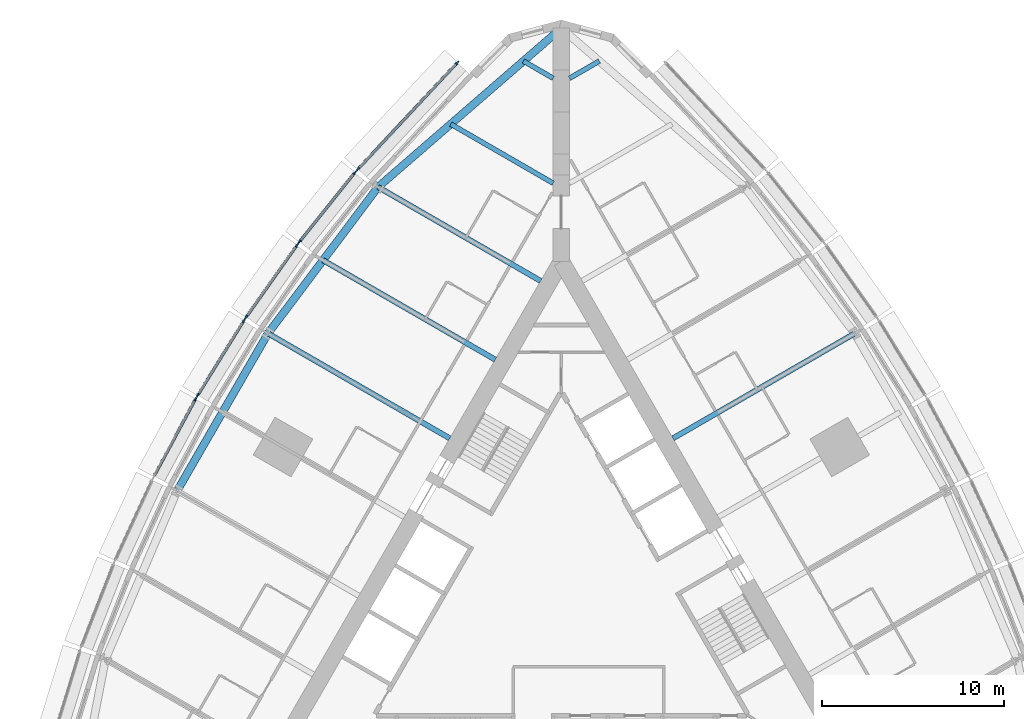
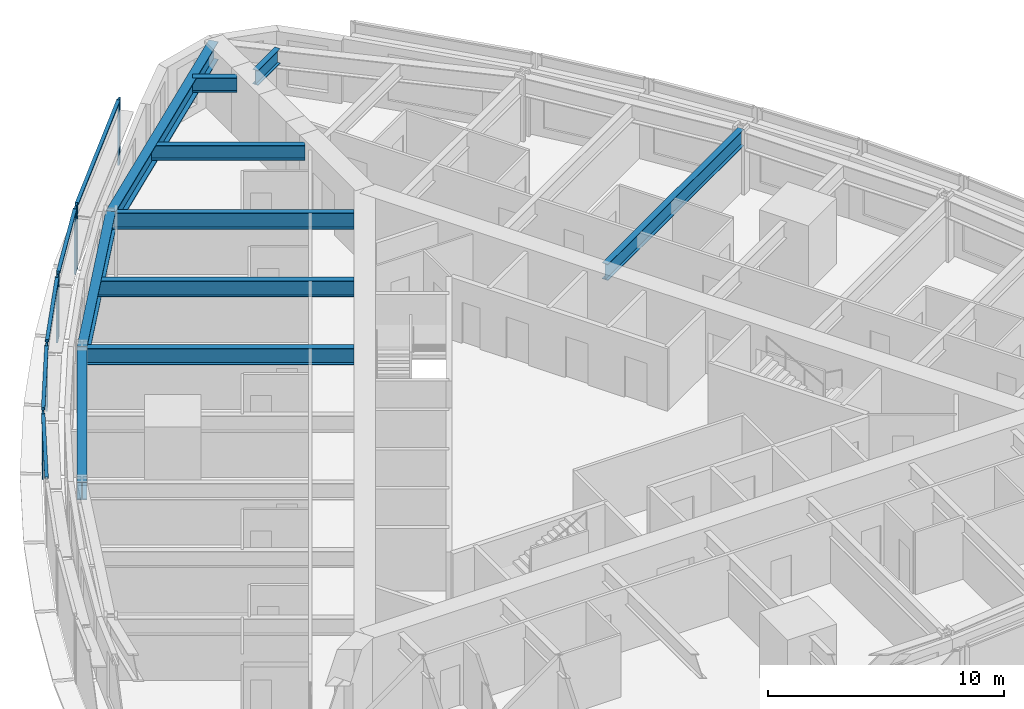
# One storey, part 4 of 14: 14 members, 10 beams, 5 elements without a shape of their own.
"""IFC4 building model written with IfcOpenShell, lengths in metres."""

from ifc_helpers import new_model, si_unit, direction, frame, origin, origin_2d, place, context, subcontext, project, spatial, rectangle, i_section, extrude, material, material_profile, profile_set, type_object, element, aggregate, save


model = new_model("IFC4")

# Units and contexts
model_context = context("Model", 3, precision=1e-05, world=origin(), true_north=direction((0.0, 1.0)))
body_context = subcontext(model_context, "Body", "Model", "MODEL_VIEW")
ifc_project = project(units=[si_unit("LENGTHUNIT", "METRE"), si_unit("AREAUNIT", "SQUARE_METRE"), si_unit("VOLUMEUNIT", "CUBIC_METRE"), si_unit("PLANEANGLEUNIT", "RADIAN"), si_unit("MASSUNIT", "GRAM", prefix="KILO")], contexts=[model_context])

# Site, building, storey
site_placement = place(None, origin())
site = spatial("IfcSite", under=ifc_project, at=site_placement, CompositionType="ELEMENT")
building_placement = place(site_placement, origin())
building = spatial("IfcBuilding", under=site, at=building_placement, Name="Trikona Tower", CompositionType="ELEMENT")
storey_placement = place(building_placement, frame((0.0, 0.0, 42.10009765625)))
storey = spatial("IfcBuildingStorey", under=building, at=storey_placement, Name="L09", CompositionType="ELEMENT", Elevation=42.10009765625)

# Curtain wall, members
ifc_material_1 = material(Name="Aluminium curtain wall system", Category="aluminium")
curtain_wall_type = type_object("IfcCurtainWallType", Name="Curtain wall DS1", PredefinedType="NOTDEFINED", material=ifc_material_1)
curtain_wall_1_placement = place(storey_placement, origin())
curtain_wall_1 = element("IfcCurtainWall", 1, at=curtain_wall_1_placement, inside=storey, type_object=curtain_wall_type, Name="Curtain wall DS1 L09", PredefinedType="NOTDEFINED")
ifc_material_2 = material(Name="Aluminium mullion, pale anodised", Category="aluminium")
ifc_material_profile_1 = material_profile(ifc_material_2, rectangle(XDim=0.080078125, YDim=0.219970703125, at=origin_2d()), Name="MUL-DS1")
ifc_profile_set_1 = profile_set([ifc_material_profile_1], Name="Aluminium mullion, pale anodised")
member_type_1 = type_object("IfcMemberType", Name="Mullion DS1 80x220", PredefinedType="MULLION", material=ifc_profile_set_1)
member_1_placement = place(storey_placement, frame((-5.72607421875, 29.98583984375, 0.0), z_axis=(0.0, 0.0, 1.0), x_axis=(0.731076639405, -0.682295351967, 0.0)))
member_1 = element("IfcMember", 2, at=member_1_placement, type_object=member_type_1, Name="CW-DS1 mullion 1", PredefinedType="MULLION", context=body_context, shape_type="SweptSolid", body=[
    extrude(rectangle(XDim=0.080078125, YDim=0.219970703125, at=origin_2d()), origin(), (0.0, 0.0, 1.0), 3.39990234375),
])
member_2_placement = place(storey_placement, frame((-11.192138671875, 24.129150390625, 0.0), z_axis=(0.0, 0.0, 1.0), x_axis=(0.731076639405, -0.682295351967, 0.0)))
member_2 = element("IfcMember", 3, at=member_2_placement, type_object=member_type_1, Name="CW-DS1 mullion 2", PredefinedType="MULLION", context=body_context, shape_type="SweptSolid", body=[
    extrude(rectangle(XDim=0.080078125, YDim=0.219970703125, at=origin_2d()), origin(), (0.0, 0.0, 1.0), 3.39990234375),
])

curtain_wall_2_placement = place(storey_placement, origin())
curtain_wall_2 = element("IfcCurtainWall", 4, at=curtain_wall_2_placement, inside=storey, type_object=curtain_wall_type, Name="Curtain wall DS1 L09", PredefinedType="NOTDEFINED")
member_3_placement = place(storey_placement, frame((-11.36767578125, 23.926025390625, 0.0), z_axis=(0.0, 0.0, 1.0), x_axis=(0.780937959679, -0.624608599951, 0.0)))
member_3 = element("IfcMember", 5, at=member_3_placement, type_object=member_type_1, Name="CW-DS1 mullion 1", PredefinedType="MULLION", context=body_context, shape_type="SweptSolid", body=[
    extrude(rectangle(XDim=0.080078125, YDim=0.219970703125, at=origin_2d()), origin(), (0.0, 0.0, 1.0), 3.39990234375),
])
member_4_placement = place(storey_placement, frame((-14.40185546875, 20.13232421875, 0.0), z_axis=(0.0, 0.0, 1.0), x_axis=(0.780937959679, -0.624608599951, 0.0)))
member_4 = element("IfcMember", 6, at=member_4_placement, type_object=member_type_1, Name="CW-DS1 mullion 2", PredefinedType="MULLION", context=body_context, shape_type="SweptSolid", body=[
    extrude(rectangle(XDim=0.080078125, YDim=0.219970703125, at=origin_2d()), origin(), (0.0, 0.0, 1.0), 3.39990234375),
])

curtain_wall_3_placement = place(storey_placement, origin())
curtain_wall_3 = element("IfcCurtainWall", 7, at=curtain_wall_3_placement, inside=storey, type_object=curtain_wall_type, Name="Curtain wall DS1 L09", PredefinedType="NOTDEFINED")
member_5_placement = place(storey_placement, frame((-14.554443359375, 19.929443359375, 0.0), z_axis=(0.0, 0.0, 1.0), x_axis=(0.816985393055, -0.576658362928, 0.0)))
member_5 = element("IfcMember", 8, at=member_5_placement, type_object=member_type_1, Name="CW-DS1 mullion 1", PredefinedType="MULLION", context=body_context, shape_type="SweptSolid", body=[
    extrude(rectangle(XDim=0.080078125, YDim=0.219970703125, at=origin_2d()), origin(), (0.0, 0.0, 1.0), 3.39990234375),
])
member_6_placement = place(storey_placement, frame((-17.33447265625, 15.990966796875, 0.0), z_axis=(0.0, 0.0, 1.0), x_axis=(0.816985393055, -0.576658362928, 0.0)))
member_6 = element("IfcMember", 9, at=member_6_placement, type_object=member_type_1, Name="CW-DS1 mullion 2", PredefinedType="MULLION", context=body_context, shape_type="SweptSolid", body=[
    extrude(rectangle(XDim=0.080078125, YDim=0.219970703125, at=origin_2d()), origin(), (0.0, 0.0, 1.0), 3.39990234375),
])

curtain_wall_4_placement = place(storey_placement, origin())
curtain_wall_4 = element("IfcCurtainWall", 10, at=curtain_wall_4_placement, inside=storey, type_object=curtain_wall_type, Name="Curtain wall DS1 L09", PredefinedType="NOTDEFINED")
member_7_placement = place(storey_placement, frame((-17.474853515625, 15.77880859375, 0.0), z_axis=(0.0, 0.0, 1.0), x_axis=(0.850410468941, -0.526119790842, 0.0)))
member_7 = element("IfcMember", 11, at=member_7_placement, type_object=member_type_1, Name="CW-DS1 mullion 1", PredefinedType="MULLION", context=body_context, shape_type="SweptSolid", body=[
    extrude(rectangle(XDim=0.080078125, YDim=0.219970703125, at=origin_2d()), origin(), (0.0, 0.0, 1.0), 3.39990234375),
])
member_8_placement = place(storey_placement, frame((-20.00146484375, 11.69482421875, 0.0), z_axis=(0.0, 0.0, 1.0), x_axis=(0.850410468941, -0.526119790842, 0.0)))
member_8 = element("IfcMember", 12, at=member_8_placement, type_object=member_type_1, Name="CW-DS1 mullion 2", PredefinedType="MULLION", context=body_context, shape_type="SweptSolid", body=[
    extrude(rectangle(XDim=0.080078125, YDim=0.219970703125, at=origin_2d()), origin(), (0.0, 0.0, 1.0), 3.39990234375),
])

# Curtain wall, member
curtain_wall_5_placement = place(storey_placement, origin())
curtain_wall_5 = element("IfcCurtainWall", 13, at=curtain_wall_5_placement, inside=storey, type_object=curtain_wall_type, Name="Curtain wall DS1 L09", PredefinedType="NOTDEFINED")
member_9_placement = place(storey_placement, frame((-20.128662109375, 11.474365234375, 0.0), z_axis=(0.0, 0.0, 1.0), x_axis=(0.880843080975, -0.473408350896, 0.0)))
member_9 = element("IfcMember", 14, at=member_9_placement, type_object=member_type_1, Name="CW-DS1 mullion 1", PredefinedType="MULLION", context=body_context, shape_type="SweptSolid", body=[
    extrude(rectangle(XDim=0.080078125, YDim=0.219970703125, at=origin_2d()), origin(), (0.0, 0.0, 1.0), 3.39990234375),
])

# Beams
ifc_material_3 = material(Name="Steel ASTM A992 Grade 50", Category="steel")
ifc_material_profile_2 = material_profile(ifc_material_3, i_section(OverallWidth=0.2666015625, OverallDepth=0.76953125, WebThickness=0.015625, FlangeThickness=0.025390625, at=origin_2d()), Name="W30X132")
ifc_profile_set_2 = profile_set([ifc_material_profile_2], Name="Steel ASTM A992 Grade 50")
beam_type_1 = type_object("IfcBeamType", Name="Steel beam W30x132 (wedge)", PredefinedType="BEAM", material=ifc_profile_set_2)
for number, where, z_axis, x_axis, name in (
    (15, (0.449951171875, 29.127197265625, 2.85009765625), (0.866009237431, 0.5000279999, 0.0), (-0.5000279999, 0.866009237431, 0.0), "Floor beam L10 F2 u25"),
    (16, (-0.449951171875, 29.127197265625, 2.85009765625), (-0.866009237431, 0.5000279999, 0.0), (-0.5000279999, -0.866009237431, 0.0), "Floor beam L10 F3 u-25"),
):
    element("IfcBeam", number, at=place(storey_placement, frame(where, z_axis=z_axis, x_axis=x_axis)), inside=storey, type_object=beam_type_1, Name=name, PredefinedType="BEAM", context=body_context, shape_type="SweptSolid", body=[
        extrude(i_section(OverallWidth=0.2666015625, OverallDepth=0.76953125, WebThickness=0.015625, FlangeThickness=0.025390625, at=origin_2d()), origin(), (0.0, 0.0, 1.0), 1.890625),
    ])
beam_1_placement = place(storey_placement, frame((-0.449951171875, 23.353759765625, 2.85009765625), z_axis=(-0.866022504693, 0.50000502134, 0.0), x_axis=(-0.50000502134, -0.866022504693, 0.0)))
element("IfcBeam", 17, at=beam_1_placement, inside=storey, type_object=beam_type_1, Name="Floor beam L10 F3 u-20", PredefinedType="BEAM", context=body_context, shape_type="SweptSolid", body=[
    extrude(i_section(OverallWidth=0.2666015625, OverallDepth=0.76953125, WebThickness=0.015625, FlangeThickness=0.025390625, at=origin_2d()), origin(), (0.0, 0.0, 1.0), 6.5068359375),
])
ifc_material_4 = material(Name="Steel ASTM A992 Grade 50", Category="steel")
ifc_material_profile_3 = material_profile(ifc_material_4, i_section(OverallWidth=0.2919921875, OverallDepth=0.845703125, WebThickness=0.015380859375, FlangeThickness=0.0244140625, at=origin_2d()), Name="W33X141")
ifc_profile_set_3 = profile_set([ifc_material_profile_3], Name="Steel ASTM A992 Grade 50")
beam_type_2 = type_object("IfcBeamType", Name="Steel beam W33x141 (radial typ)", PredefinedType="BEAM", material=ifc_profile_set_3)
beam_2_placement = place(storey_placement, frame((6.1396484375, 9.318359375, 2.81201171875), z_axis=(0.866029923217, 0.499992172032, 0.0), x_axis=(-0.499992172032, 0.866029923217, 0.0)))
element("IfcBeam", 18, at=beam_2_placement, inside=storey, type_object=beam_type_2, Name="Floor beam L10 F2 u5", PredefinedType="BEAM", context=body_context, shape_type="SweptSolid", body=[
    extrude(i_section(OverallWidth=0.2919921875, OverallDepth=0.845703125, WebThickness=0.015380859375, FlangeThickness=0.0244140625, at=origin_2d()), origin(), (0.0, 0.0, 1.0), 11.544189453125),
])
beam_3_placement = place(storey_placement, frame((-1.1396484375, 17.978515625, 2.81201171875), z_axis=(-0.866030471684, 0.499991222037, 0.0), x_axis=(-0.499991222037, -0.866030471684, 0.0)))
element("IfcBeam", 19, at=beam_3_placement, inside=storey, type_object=beam_type_2, Name="Floor beam L10 F3 u-15", PredefinedType="BEAM", context=body_context, shape_type="SweptSolid", body=[
    extrude(i_section(OverallWidth=0.2919921875, OverallDepth=0.845703125, WebThickness=0.015380859375, FlangeThickness=0.0244140625, at=origin_2d()), origin(), (0.0, 0.0, 1.0), 10.326904296875),
])
beam_4_placement = place(storey_placement, frame((-3.6396484375, 13.6484375, 2.81201171875), z_axis=(-0.866025348605, 0.500000095573, 0.0), x_axis=(-0.500000095573, -0.866025348605, 0.0)))
element("IfcBeam", 20, at=beam_4_placement, inside=storey, type_object=beam_type_2, Name="Floor beam L10 F3 u-10", PredefinedType="BEAM", context=body_context, shape_type="SweptSolid", body=[
    extrude(i_section(OverallWidth=0.2919921875, OverallDepth=0.845703125, WebThickness=0.015380859375, FlangeThickness=0.0244140625, at=origin_2d()), origin(), (0.0, 0.0, 1.0), 10.935546875),
])
beam_5_placement = place(storey_placement, frame((-6.1396484375, 9.318359375, 2.81201171875), z_axis=(-0.866029923217, 0.499992172032, 0.0), x_axis=(-0.499992172032, -0.866029923217, 0.0)))
element("IfcBeam", 21, at=beam_5_placement, inside=storey, type_object=beam_type_2, Name="Floor beam L10 F3 u-5", PredefinedType="BEAM", context=body_context, shape_type="SweptSolid", body=[
    extrude(i_section(OverallWidth=0.2919921875, OverallDepth=0.845703125, WebThickness=0.015380859375, FlangeThickness=0.0244140625, at=origin_2d()), origin(), (0.0, 0.0, 1.0), 11.544189453125),
])
ifc_material_5 = material(Name="Steel ASTM A992 Grade 50", Category="steel")
ifc_material_profile_4 = material_profile(ifc_material_5, i_section(OverallWidth=0.424072265625, OverallDepth=0.947509765625, WebThickness=0.02392578125, FlangeThickness=0.042724609375, at=origin_2d()), Name="W36X302")
ifc_profile_set_4 = profile_set([ifc_material_profile_4], Name="Steel ASTM A992 Grade 50")
beam_type_3 = type_object("IfcBeamType", Name="Steel beam W36x302 (spandrel)", PredefinedType="SPANDREL", material=ifc_profile_set_4)
beam_6_placement = place(storey_placement, frame((0.0, 31.881591796875, 2.76123046875), z_axis=(-0.755646822726, -0.654979296851, 0.0), x_axis=(0.654979296851, -0.755646822726, 0.0)))
element("IfcBeam", 22, at=beam_6_placement, inside=storey, type_object=beam_type_3, Name="Spandrel beam L10 F3-1", PredefinedType="SPANDREL", context=body_context, shape_type="SweptSolid", body=[
    extrude(i_section(OverallWidth=0.424072265625, OverallDepth=0.947509765625, WebThickness=0.02392578125, FlangeThickness=0.042724609375, at=origin_2d()), origin(), (0.0, 0.0, 1.0), 13.343505859375),
])
beam_7_placement = place(storey_placement, frame((-10.0830078125, 23.141845703125, 2.76123046875), z_axis=(-0.600988344191, -0.799257787042, 0.0), x_axis=(0.799257787042, -0.600988344191, 0.0)))
element("IfcBeam", 23, at=beam_7_placement, inside=storey, type_object=beam_type_3, Name="Spandrel beam L10 F3-2", PredefinedType="SPANDREL", context=body_context, shape_type="SweptSolid", body=[
    extrude(i_section(OverallWidth=0.424072265625, OverallDepth=0.947509765625, WebThickness=0.02392578125, FlangeThickness=0.042724609375, at=origin_2d()), origin(), (0.0, 0.0, 1.0), 10.07373046875),
])
beam_8_placement = place(storey_placement, frame((-16.13720703125, 15.09033203125, 2.76123046875), z_axis=(-0.500004234368, -0.866022959057, 0.0), x_axis=(0.866022959057, -0.500004234368, 0.0)))
element("IfcBeam", 24, at=beam_8_placement, inside=storey, type_object=beam_type_3, Name="Spandrel beam L10 F3-3", PredefinedType="SPANDREL", context=body_context, shape_type="SweptSolid", body=[
    extrude(i_section(OverallWidth=0.424072265625, OverallDepth=0.947509765625, WebThickness=0.02392578125, FlangeThickness=0.042724609375, at=origin_2d()), origin(), (0.0, 0.0, 1.0), 10.0),
])

# Member
ifc_material_6 = material(Name="Aluminium transom, pale anodised", Category="aluminium")
ifc_material_profile_5 = material_profile(ifc_material_6, rectangle(XDim=0.159912109375, YDim=0.080078125, at=origin_2d()), Name="TRN-DS1")
ifc_profile_set_5 = profile_set([ifc_material_profile_5], Name="Aluminium transom, pale anodised")
member_type_2 = type_object("IfcMemberType", Name="Transom DS1 80x160", PredefinedType="USERDEFINED", material=ifc_profile_set_5)
member_10_placement = place(storey_placement, frame((-5.75341796875, 29.95654296875, 3.35986328125), z_axis=(-0.682290830921, -0.731080858758, 0.0), x_axis=(0.731080858758, -0.682290830921, 0.0)))
member_10 = element("IfcMember", 25, at=member_10_placement, type_object=member_type_2, Name="CW-DS1 transom 1.1", ObjectType="TRANSOM", PredefinedType="USERDEFINED", context=body_context, shape_type="SweptSolid", body=[
    extrude(rectangle(XDim=0.159912109375, YDim=0.080078125, at=origin_2d()), origin(), (0.0, 0.0, 1.0), 7.93115234375),
])

aggregate(curtain_wall_1, [member_1, member_2, member_10])

member_11_placement = place(storey_placement, frame((-11.392822265625, 23.894775390625, 3.35986328125), z_axis=(-0.624589103832, -0.780953552636, 0.0), x_axis=(0.780953552636, -0.624589103832, 0.0)))
member_11 = element("IfcMember", 26, at=member_11_placement, type_object=member_type_2, Name="CW-DS1 transom 1.1", ObjectType="TRANSOM", PredefinedType="USERDEFINED", context=body_context, shape_type="SweptSolid", body=[
    extrude(rectangle(XDim=0.159912109375, YDim=0.080078125, at=origin_2d()), origin(), (0.0, 0.0, 1.0), 4.77783203125),
])

aggregate(curtain_wall_2, [member_3, member_4, member_11])

member_12_placement = place(storey_placement, frame((-14.57763671875, 19.896728515625, 3.35986328125), z_axis=(-0.57664478015, -0.816994980111, 0.0), x_axis=(0.816994980111, -0.57664478015, 0.0)))
member_12 = element("IfcMember", 27, at=member_12_placement, type_object=member_type_2, Name="CW-DS1 transom 1.1", ObjectType="TRANSOM", PredefinedType="USERDEFINED", context=body_context, shape_type="SweptSolid", body=[
    extrude(rectangle(XDim=0.159912109375, YDim=0.080078125, at=origin_2d()), origin(), (0.0, 0.0, 1.0), 4.740478515625),
])

aggregate(curtain_wall_3, [member_5, member_6, member_12])

member_13_placement = place(storey_placement, frame((-17.495849609375, 15.744873046875, 3.35986328125), z_axis=(-0.526080502257, -0.850434774186, 0.0), x_axis=(0.850434774186, -0.526080502257, 0.0)))
member_13 = element("IfcMember", 28, at=member_13_placement, type_object=member_type_2, Name="CW-DS1 transom 1.1", ObjectType="TRANSOM", PredefinedType="USERDEFINED", context=body_context, shape_type="SweptSolid", body=[
    extrude(rectangle(XDim=0.159912109375, YDim=0.080078125, at=origin_2d()), origin(), (0.0, 0.0, 1.0), 4.722412109375),
])

aggregate(curtain_wall_4, [member_7, member_8, member_13])

member_14_placement = place(storey_placement, frame((-20.147705078125, 11.43896484375, 3.35986328125), z_axis=(-0.473427569755, -0.880832751546, 0.0), x_axis=(0.880832751546, -0.473427569755, 0.0)))
member_14 = element("IfcMember", 29, at=member_14_placement, type_object=member_type_2, Name="CW-DS1 transom 1.1", ObjectType="TRANSOM", PredefinedType="USERDEFINED", context=body_context, shape_type="SweptSolid", body=[
    extrude(rectangle(XDim=0.159912109375, YDim=0.080078125, at=origin_2d()), origin(), (0.0, 0.0, 1.0), 4.72216796875),
])

aggregate(curtain_wall_5, [member_9, member_14])

save(model, "model.ifc")
